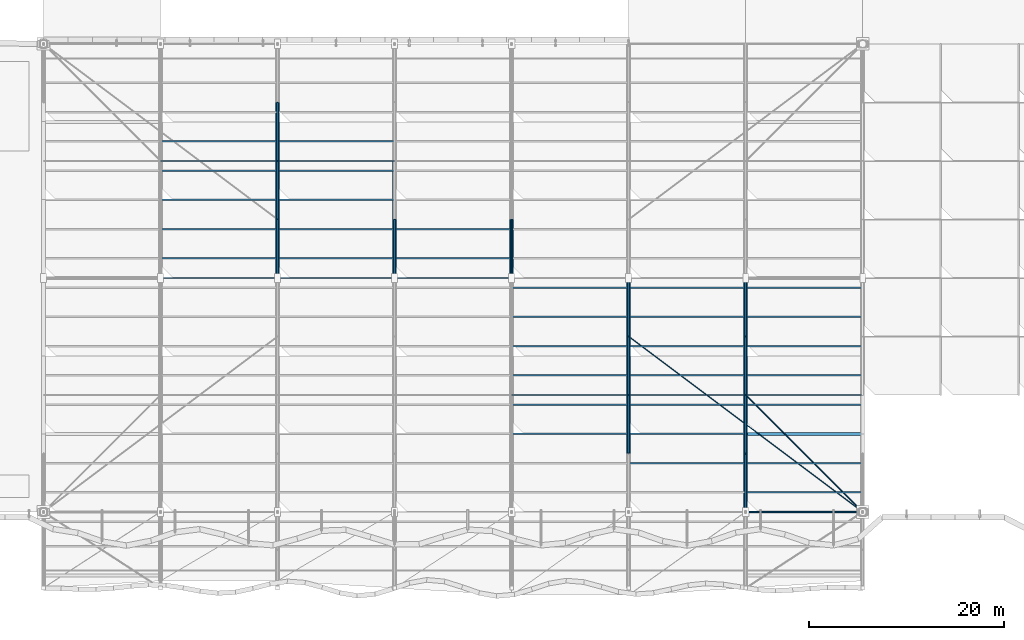
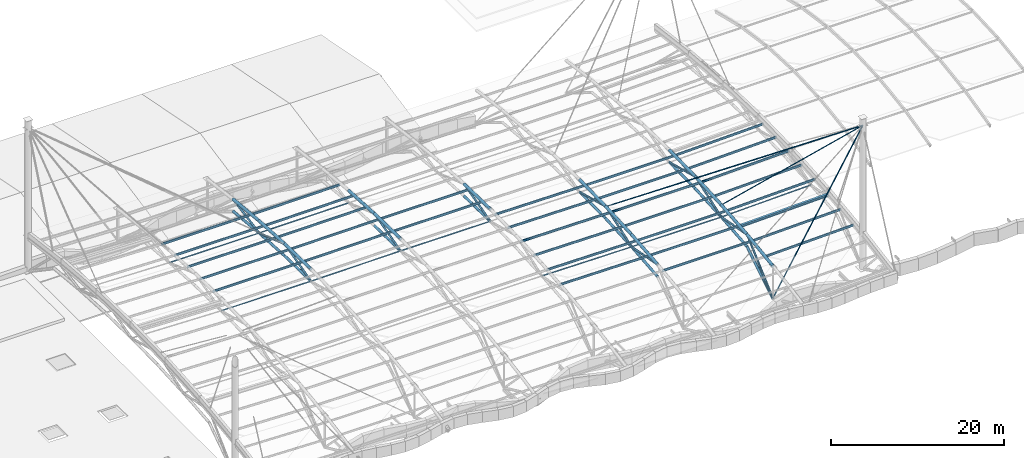
# One storey, part 12 of 29: 80 members, 1 beam.
"""IFC4 building model written with IfcOpenShell, lengths in metres."""

from ifc_helpers import new_model, si_unit, direction, frame, origin, origin_2d, place, context, subcontext, project, spatial, hollow_circle, i_section, extrude, material, material_profile, profile_set, type_object, element, save


model = new_model("IFC4")

# Units and contexts
model_context = context("Model", 3, precision=1e-05, world=origin(), true_north=direction((0.0, 1.0)))
body_context = subcontext(model_context, "Body", "Model", "MODEL_VIEW")
ifc_project = project(units=[si_unit("LENGTHUNIT", "METRE"), si_unit("AREAUNIT", "SQUARE_METRE"), si_unit("VOLUMEUNIT", "CUBIC_METRE"), si_unit("PLANEANGLEUNIT", "RADIAN"), si_unit("MASSUNIT", "GRAM", prefix="KILO")], contexts=[model_context])

# Site, building, storey
site_placement = place(None, origin())
site = spatial("IfcSite", under=ifc_project, at=site_placement, CompositionType="ELEMENT")
building_placement = place(site_placement, origin())
building = spatial("IfcBuilding", under=site, at=building_placement, Name="Keelwater Ferry Terminal", CompositionType="ELEMENT")
storey_placement = place(building_placement, frame((0.0, 0.0, 27.89990234375)))
storey = spatial("IfcBuildingStorey", under=building, at=storey_placement, Name="RF", CompositionType="ELEMENT", Elevation=27.89990234375)

# Members
ifc_material_1 = material(Name="Steel S355", Category="steel")
ifc_material_profile_1 = material_profile(ifc_material_1, hollow_circle(Radius=0.136474609375, WallThickness=0.012451171875, at=origin_2d()), Name="CHS 273x12.5")
ifc_profile_set_1 = profile_set([ifc_material_profile_1], Name="Steel S355")
member_type_1 = type_object("IfcMemberType", Name="BR2 CHS 273x12.5", PredefinedType="BRACE", material=ifc_profile_set_1)
member_1_placement = place(storey_placement, frame((72.0, 66.0, -8.2978515625), z_axis=(0.0, 0.966835622723, 0.255399449166), x_axis=(-1.0, 0.0, 0.0)))
element("IfcMember", 1, at=member_1_placement, inside=storey, type_object=member_type_1, Name="Structural Member MB-RF-0087", PredefinedType="BRACE", context=body_context, shape_type="SweptSolid", body=[
    extrude(hollow_circle(Radius=0.136474609375, WallThickness=0.012451171875, at=origin_2d()), origin(), (0.0, 0.0, 1.0), 6.205810546875),
])
member_2_placement = place(storey_placement, frame((72.0, 72.0, -6.712890625), z_axis=(0.0, 0.946429966212, -0.322909149849), x_axis=(-1.0, 0.0, 0.0)))
element("IfcMember", 2, at=member_2_placement, inside=storey, type_object=member_type_1, Name="Structural Member MB-RF-0090", PredefinedType="BRACE", context=body_context, shape_type="SweptSolid", body=[
    extrude(hollow_circle(Radius=0.136474609375, WallThickness=0.012451171875, at=origin_2d()), origin(), (0.0, 0.0, 1.0), 6.339599609375),
])
member_3_placement = place(storey_placement, frame((72.0, 78.0, -8.760009765625), z_axis=(0.0, 0.982959013804, 0.183824854632), x_axis=(-1.0, 0.0, 0.0)))
element("IfcMember", 3, at=member_3_placement, inside=storey, type_object=member_type_1, Name="Structural Member MB-RF-0093", PredefinedType="BRACE", context=body_context, shape_type="SweptSolid", body=[
    extrude(hollow_circle(Radius=0.136474609375, WallThickness=0.012451171875, at=origin_2d()), origin(), (0.0, 0.0, 1.0), 6.10400390625),
])
for number, where, z_axis, x_axis, name in (
    (4, (84.0, 66.0, -8.21484375), (0.0, 0.96687447052, 0.255252342315), (-1.0, 0.0, 0.0), "Structural Member MB-RF-0119"),
    (5, (96.0, 66.0, -8.21484375), (0.0, 0.96687447052, 0.255252342315), (-1.0, 0.0, 0.0), "Structural Member MB-RF-0151"),
):
    element("IfcMember", number, at=place(storey_placement, frame(where, z_axis=z_axis, x_axis=x_axis)), inside=storey, type_object=member_type_1, Name=name, PredefinedType="BRACE", context=body_context, shape_type="SweptSolid", body=[
        extrude(hollow_circle(Radius=0.136474609375, WallThickness=0.012451171875, at=origin_2d()), origin(), (0.0, 0.0, 1.0), 6.20556640625),
    ])
member_4_placement = place(storey_placement, frame((108.0, 48.0, -7.637939453125), z_axis=(0.0, 0.982959013804, -0.183824854632), x_axis=(-1.0, 0.0, 0.0)))
element("IfcMember", 6, at=member_4_placement, inside=storey, type_object=member_type_1, Name="Structural Member MB-RF-0173", PredefinedType="BRACE", context=body_context, shape_type="SweptSolid", body=[
    extrude(hollow_circle(Radius=0.136474609375, WallThickness=0.012451171875, at=origin_2d()), origin(), (0.0, 0.0, 1.0), 6.10400390625),
])
member_5_placement = place(storey_placement, frame((108.0, 54.0, -8.760009765625), z_axis=(0.0, 0.946429966212, 0.322909149849), x_axis=(-1.0, 0.0, 0.0)))
element("IfcMember", 7, at=member_5_placement, inside=storey, type_object=member_type_1, Name="Structural Member MB-RF-0176", PredefinedType="BRACE", context=body_context, shape_type="SweptSolid", body=[
    extrude(hollow_circle(Radius=0.136474609375, WallThickness=0.012451171875, at=origin_2d()), origin(), (0.0, 0.0, 1.0), 6.339599609375),
])
member_6_placement = place(storey_placement, frame((108.0, 60.0, -6.712890625), z_axis=(0.0, 0.966835622723, -0.255399449166), x_axis=(-1.0, 0.0, 0.0)))
element("IfcMember", 8, at=member_6_placement, inside=storey, type_object=member_type_1, Name="Structural Member MB-RF-0179", PredefinedType="BRACE", context=body_context, shape_type="SweptSolid", body=[
    extrude(hollow_circle(Radius=0.136474609375, WallThickness=0.012451171875, at=origin_2d()), origin(), (0.0, 0.0, 1.0), 6.205810546875),
])
member_7_placement = place(storey_placement, frame((120.0, 42.0, -13.0498046875), z_axis=(0.0, 0.741707352726, 0.670723641235), x_axis=(-1.0, 0.0, 0.0)))
element("IfcMember", 9, at=member_7_placement, inside=storey, type_object=member_type_1, Name="Structural Member MB-RF-0201", PredefinedType="BRACE", context=body_context, shape_type="SweptSolid", body=[
    extrude(hollow_circle(Radius=0.136474609375, WallThickness=0.012451171875, at=origin_2d()), origin(), (0.0, 0.0, 1.0), 8.08935546875),
])
member_8_placement = place(storey_placement, frame((120.0, 48.0, -7.6240234375), z_axis=(0.0, 0.982966240194, -0.183786209053), x_axis=(-1.0, 0.0, 0.0)))
element("IfcMember", 10, at=member_8_placement, inside=storey, type_object=member_type_1, Name="Structural Member MB-RF-0204", PredefinedType="BRACE", context=body_context, shape_type="SweptSolid", body=[
    extrude(hollow_circle(Radius=0.136474609375, WallThickness=0.012451171875, at=origin_2d()), origin(), (0.0, 0.0, 1.0), 6.10400390625),
])
member_9_placement = place(storey_placement, frame((120.0, 54.0, -8.745849609375), z_axis=(0.0, 0.946441734907, 0.322874654356), x_axis=(-1.0, 0.0, 0.0)))
element("IfcMember", 11, at=member_9_placement, inside=storey, type_object=member_type_1, Name="Structural Member MB-RF-0207", PredefinedType="BRACE", context=body_context, shape_type="SweptSolid", body=[
    extrude(hollow_circle(Radius=0.136474609375, WallThickness=0.012451171875, at=origin_2d()), origin(), (0.0, 0.0, 1.0), 6.339599609375),
])
member_10_placement = place(storey_placement, frame((120.0, 60.0, -6.698974609375), z_axis=(0.0, 0.966835622723, -0.255399449166), x_axis=(-1.0, 0.0, 0.0)))
element("IfcMember", 12, at=member_10_placement, inside=storey, type_object=member_type_1, Name="Structural Member MB-RF-0210", PredefinedType="BRACE", context=body_context, shape_type="SweptSolid", body=[
    extrude(hollow_circle(Radius=0.136474609375, WallThickness=0.012451171875, at=origin_2d()), origin(), (0.0, 0.0, 1.0), 6.205810546875),
])

# Beam
ifc_material_2 = material(Name="Steel S355", Category="steel")
ifc_material_profile_2 = material_profile(ifc_material_2, i_section(OverallWidth=0.300048828125, OverallDepth=0.360107421875, WebThickness=0.012451171875, FlangeThickness=0.0224609375, at=origin_2d()), Name="HEB 360")
ifc_profile_set_2 = profile_set([ifc_material_profile_2], Name="Steel S355")
beam_type = type_object("IfcBeamType", Name="G8 HEB 360", PredefinedType="BEAM", material=ifc_profile_set_2)
beam_placement = place(storey_placement, frame((120.0, 50.0, -7.685791015625), z_axis=(0.999612913888, 0.0, 0.027821257857), x_axis=(0.0, 1.0, 0.0)))
element("IfcBeam", 13, at=beam_placement, inside=storey, type_object=beam_type, Name="Beam BM-RF-1660", PredefinedType="BEAM", context=body_context, shape_type="SweptSolid", body=[
    extrude(i_section(OverallWidth=0.300048828125, OverallDepth=0.360107421875, WebThickness=0.012451171875, FlangeThickness=0.0224609375, at=origin_2d()), origin(), (0.0, 0.0, 1.0), 12.004638671875),
])

# Members
ifc_material_3 = material(Name="Steel S355", Category="steel")
ifc_material_profile_3 = material_profile(ifc_material_3, i_section(OverallWidth=0.14990234375, OverallDepth=0.300048828125, WebThickness=0.007080078125, FlangeThickness=0.0107421875, at=origin_2d()), Name="IPE 300")
ifc_profile_set_3 = profile_set([ifc_material_profile_3], Name="Steel S355")
member_type_2 = type_object("IfcMemberType", Name="PR1 IPE 300", PredefinedType="PURLIN", material=ifc_profile_set_3)
for number, where, z_axis, x_axis, name in (
    (14, (60.0, 68.0, -6.765869140625), (0.999999327586, 0.0, -0.001159667189), (0.0, 1.0, 0.0), "Structural Member MB-RF-0283"),
    (15, (60.0, 71.0, -6.833984375), (0.999999327586, 0.0, -0.001159667189), (0.0, 1.0, 0.0), "Structural Member MB-RF-0284"),
    (16, (60.0, 74.0, -6.958984375), (0.999999327586, 0.0, -0.001159667189), (0.0, 1.0, 0.0), "Structural Member MB-RF-0285"),
    (17, (60.0, 77.0, -7.141845703125), (0.999999303785, 0.0, -0.001180012199), (0.0, 1.0, 0.0), "Structural Member MB-RF-0286"),
    (18, (60.0, 80.0, -7.3828125), (0.999999303785, 0.0, -0.001180012199), (0.0, 1.0, 0.0), "Structural Member MB-RF-0287"),
):
    element("IfcMember", number, at=place(storey_placement, frame(where, z_axis=z_axis, x_axis=x_axis)), inside=storey, type_object=member_type_2, Name=name, PredefinedType="PURLIN", context=body_context, shape_type="SweptSolid", body=[
        extrude(i_section(OverallWidth=0.14990234375, OverallDepth=0.300048828125, WebThickness=0.007080078125, FlangeThickness=0.0107421875, at=origin_2d()), origin(), (0.0, 0.0, 1.0), 12.0),
    ])
for number, where, z_axis, x_axis, name in (
    (19, (72.0, 68.0, -6.77978515625), (0.999976774659, 0.0, 0.006815434153), (0.0, 1.0, 0.0), "Structural Member MB-RF-0302"),
    (20, (72.0, 71.0, -6.847900390625), (0.999976635798, 0.0, 0.006835777784), (0.0, 1.0, 0.0), "Structural Member MB-RF-0303"),
    (21, (72.0, 74.0, -6.972900390625), (0.999976635798, 0.0, 0.006835777784), (0.0, 1.0, 0.0), "Structural Member MB-RF-0304"),
    (22, (72.0, 77.0, -7.156005859375), (0.999976635798, 0.0, 0.006835777784), (0.0, 1.0, 0.0), "Structural Member MB-RF-0305"),
    (23, (72.0, 80.0, -7.39697265625), (0.999976635798, 0.0, 0.006835777784), (0.0, 1.0, 0.0), "Structural Member MB-RF-0306"),
):
    element("IfcMember", number, at=place(storey_placement, frame(where, z_axis=z_axis, x_axis=x_axis)), inside=storey, type_object=member_type_2, Name=name, PredefinedType="PURLIN", context=body_context, shape_type="SweptSolid", body=[
        extrude(i_section(OverallWidth=0.14990234375, OverallDepth=0.300048828125, WebThickness=0.007080078125, FlangeThickness=0.0107421875, at=origin_2d()), origin(), (0.0, 0.0, 1.0), 12.000244140625),
    ])
for number, where, z_axis, x_axis, name in (
    (24, (84.0, 68.0, -6.697998046875), (1.0, 0.0, 0.0), (0.0, 1.0, 0.0), "Structural Member MB-RF-0321"),
    (25, (84.0, 71.0, -6.765869140625), (1.0, 0.0, 0.0), (0.0, 1.0, 0.0), "Structural Member MB-RF-0322"),
):
    element("IfcMember", number, at=place(storey_placement, frame(where, z_axis=z_axis, x_axis=x_axis)), inside=storey, type_object=member_type_2, Name=name, PredefinedType="PURLIN", context=body_context, shape_type="SweptSolid", body=[
        extrude(i_section(OverallWidth=0.14990234375, OverallDepth=0.300048828125, WebThickness=0.007080078125, FlangeThickness=0.0107421875, at=origin_2d()), origin(), (0.0, 0.0, 1.0), 12.0),
    ])
for number, where, z_axis, x_axis, name in (
    (26, (96.0, 50.0, -7.5068359375), (0.999976076216, 0.0, -0.00691715222), (0.0, 1.0, 0.0), "Structural Member MB-RF-0334"),
    (27, (96.0, 53.0, -7.227783203125), (0.999976635798, 0.0, -0.006835777784), (0.0, 1.0, 0.0), "Structural Member MB-RF-0335"),
    (28, (96.0, 56.0, -7.005859375), (0.999976076216, 0.0, -0.00691715222), (0.0, 1.0, 0.0), "Structural Member MB-RF-0336"),
    (29, (96.0, 59.0, -6.843017578125), (0.999976774659, 0.0, -0.006815434153), (0.0, 1.0, 0.0), "Structural Member MB-RF-0337"),
    (30, (96.0, 62.0, -6.73681640625), (0.999976635798, 0.0, -0.006835777784), (0.0, 1.0, 0.0), "Structural Member MB-RF-0338"),
    (31, (96.0, 65.0, -6.68798828125), (0.999976076216, 0.0, -0.00691715222), (0.0, 1.0, 0.0), "Structural Member MB-RF-0339"),
):
    element("IfcMember", number, at=place(storey_placement, frame(where, z_axis=z_axis, x_axis=x_axis)), inside=storey, type_object=member_type_2, Name=name, PredefinedType="PURLIN", context=body_context, shape_type="SweptSolid", body=[
        extrude(i_section(OverallWidth=0.14990234375, OverallDepth=0.300048828125, WebThickness=0.007080078125, FlangeThickness=0.0107421875, at=origin_2d()), origin(), (0.0, 0.0, 1.0), 12.000244140625),
    ])
for number, where, z_axis, x_axis, name in (
    (32, (108.0, 47.0, -7.927001953125), (0.999999303785, 0.0, 0.001180012199), (0.0, 1.0, 0.0), "Structural Member MB-RF-0352"),
    (33, (108.0, 50.0, -7.58984375), (0.999999327586, 0.0, 0.001159667189), (0.0, 1.0, 0.0), "Structural Member MB-RF-0353"),
    (34, (108.0, 53.0, -7.309814453125), (0.999999327586, 0.0, 0.001159667189), (0.0, 1.0, 0.0), "Structural Member MB-RF-0354"),
    (35, (108.0, 56.0, -7.0888671875), (0.999999327586, 0.0, 0.001159667189), (0.0, 1.0, 0.0), "Structural Member MB-RF-0355"),
    (36, (108.0, 59.0, -6.9248046875), (0.999999327586, 0.0, 0.001159667189), (0.0, 1.0, 0.0), "Structural Member MB-RF-0356"),
    (37, (108.0, 62.0, -6.81884765625), (0.999999327586, 0.0, 0.001159667189), (0.0, 1.0, 0.0), "Structural Member MB-RF-0357"),
    (38, (108.0, 65.0, -6.77099609375), (0.999999303785, 0.0, 0.001180012199), (0.0, 1.0, 0.0), "Structural Member MB-RF-0358"),
):
    element("IfcMember", number, at=place(storey_placement, frame(where, z_axis=z_axis, x_axis=x_axis)), inside=storey, type_object=member_type_2, Name=name, PredefinedType="PURLIN", context=body_context, shape_type="SweptSolid", body=[
        extrude(i_section(OverallWidth=0.14990234375, OverallDepth=0.300048828125, WebThickness=0.007080078125, FlangeThickness=0.0107421875, at=origin_2d()), origin(), (0.0, 0.0, 1.0), 12.0),
    ])
for number, where, z_axis, x_axis, name in (
    (39, (120.0, 44.0, -8.307861328125), (0.999615172935, 0.0, 0.02773997184), (0.0, 1.0, 0.0), "Structural Member MB-RF-0370"),
    (40, (120.0, 47.0, -7.912841796875), (0.999612913888, 0.0, 0.027821257857), (0.0, 1.0, 0.0), "Structural Member MB-RF-0371"),
    (41, (120.0, 53.0, -7.2958984375), (0.999615172935, 0.0, 0.02773997184), (0.0, 1.0, 0.0), "Structural Member MB-RF-0372"),
    (42, (120.0, 56.0, -7.074951171875), (0.999612913888, 0.0, 0.027821257857), (0.0, 1.0, 0.0), "Structural Member MB-RF-0373"),
    (43, (120.0, 59.0, -6.910888671875), (0.999612913888, 0.0, 0.027821257857), (0.0, 1.0, 0.0), "Structural Member MB-RF-0374"),
    (44, (120.0, 62.0, -6.804931640625), (0.999612913888, 0.0, 0.027821257857), (0.0, 1.0, 0.0), "Structural Member MB-RF-0375"),
    (45, (120.0, 65.0, -6.7568359375), (0.999612913888, 0.0, 0.027821257857), (0.0, 1.0, 0.0), "Structural Member MB-RF-0376"),
):
    element("IfcMember", number, at=place(storey_placement, frame(where, z_axis=z_axis, x_axis=x_axis)), inside=storey, type_object=member_type_2, Name=name, PredefinedType="PURLIN", context=body_context, shape_type="SweptSolid", body=[
        extrude(i_section(OverallWidth=0.14990234375, OverallDepth=0.300048828125, WebThickness=0.007080078125, FlangeThickness=0.0107421875, at=origin_2d()), origin(), (0.0, 0.0, 1.0), 12.004638671875),
    ])
ifc_material_4 = material(Name="Steel S460", Category="steel")
ifc_material_profile_4 = material_profile(ifc_material_4, hollow_circle(Radius=0.084228515625, WallThickness=0.012451171875, at=origin_2d()), Name="CHS 168.3x12.5")
ifc_profile_set_4 = profile_set([ifc_material_profile_4], Name="Steel S460")
member_type_3 = type_object("IfcMemberType", Name="SC1E CHS 168.3x12.5", PredefinedType="USERDEFINED", material=ifc_profile_set_4)
member_11_placement = place(storey_placement, frame((132.0, 42.0, 7.300048828125), z_axis=(-0.510736326415, 0.0, -0.859737404607), x_axis=(0.0, -1.0, 0.0)))
element("IfcMember", 46, at=member_11_placement, inside=storey, type_object=member_type_3, Name="Structural Member MB-RF-0403", ObjectType="CABLE", PredefinedType="USERDEFINED", context=body_context, shape_type="SweptSolid", body=[
    extrude(hollow_circle(Radius=0.084228515625, WallThickness=0.012451171875, at=origin_2d()), origin(), (0.0, 0.0, 1.0), 23.49560546875),
])
ifc_material_5 = material(Name="Steel S460", Category="steel")
ifc_material_profile_5 = material_profile(ifc_material_5, hollow_circle(Radius=0.06982421875, WallThickness=0.010009765625, at=origin_2d()), Name="CHS 139.7x10")
ifc_profile_set_5 = profile_set([ifc_material_profile_5], Name="Steel S460")
member_type_4 = type_object("IfcMemberType", Name="SC2E CHS 139.7x10", PredefinedType="USERDEFINED", material=ifc_profile_set_5)
member_12_placement = place(storey_placement, frame((132.0, 42.0, 7.300048828125), z_axis=(-0.540011458903, 0.540011458903, -0.645581326021), x_axis=(-0.707106781187, -0.707106781187, 0.0)))
element("IfcMember", 47, at=member_12_placement, inside=storey, type_object=member_type_4, Name="Structural Member MB-RF-0405", ObjectType="CABLE", PredefinedType="USERDEFINED", context=body_context, shape_type="SweptSolid", body=[
    extrude(hollow_circle(Radius=0.06982421875, WallThickness=0.010009765625, at=origin_2d()), origin(), (0.0, 0.0, 1.0), 22.2216796875),
])
ifc_material_6 = material(Name="Steel S460", Category="steel")
ifc_material_profile_6 = material_profile(ifc_material_6, hollow_circle(Radius=0.05712890625, WallThickness=0.010009765625, at=origin_2d()), Name="CHS 114.3x10")
ifc_profile_set_6 = profile_set([ifc_material_profile_6], Name="Steel S460")
member_type_5 = type_object("IfcMemberType", Name="SC3 CHS 114.3x10", PredefinedType="USERDEFINED", material=ifc_profile_set_6)
for number, where, z_axis, x_axis, name in (
    (48, (60.0, 66.0, -8.283935546875), (0.999999327586, 0.0, -0.001159667189), (0.0, 1.0, 0.0), "Structural Member MB-RF-0417"),
    (49, (60.0, 78.0, -8.745849609375), (0.999999303785, 0.0, -0.001180012199), (0.0, 1.0, 0.0), "Structural Member MB-RF-0418"),
):
    element("IfcMember", number, at=place(storey_placement, frame(where, z_axis=z_axis, x_axis=x_axis)), inside=storey, type_object=member_type_5, Name=name, ObjectType="CABLE", PredefinedType="USERDEFINED", context=body_context, shape_type="SweptSolid", body=[
        extrude(hollow_circle(Radius=0.05712890625, WallThickness=0.010009765625, at=origin_2d()), origin(), (0.0, 0.0, 1.0), 12.0),
    ])
for number, where, z_axis, x_axis, name in (
    (50, (72.0, 66.0, -8.2978515625), (0.999976076216, 0.0, 0.00691715222), (0.0, 1.0, 0.0), "Structural Member MB-RF-0420"),
    (51, (72.0, 78.0, -8.760009765625), (0.999976635798, 0.0, 0.006835777784), (0.0, 1.0, 0.0), "Structural Member MB-RF-0421"),
):
    element("IfcMember", number, at=place(storey_placement, frame(where, z_axis=z_axis, x_axis=x_axis)), inside=storey, type_object=member_type_5, Name=name, ObjectType="CABLE", PredefinedType="USERDEFINED", context=body_context, shape_type="SweptSolid", body=[
        extrude(hollow_circle(Radius=0.05712890625, WallThickness=0.010009765625, at=origin_2d()), origin(), (0.0, 0.0, 1.0), 12.000244140625),
    ])
member_13_placement = place(storey_placement, frame((84.0, 66.0, -8.21484375), z_axis=(1.0, 0.0, 0.0), x_axis=(0.0, 1.0, 0.0)))
element("IfcMember", 52, at=member_13_placement, inside=storey, type_object=member_type_5, Name="Structural Member MB-RF-0423", ObjectType="CABLE", PredefinedType="USERDEFINED", context=body_context, shape_type="SweptSolid", body=[
    extrude(hollow_circle(Radius=0.05712890625, WallThickness=0.010009765625, at=origin_2d()), origin(), (0.0, 0.0, 1.0), 12.0),
])
member_14_placement = place(storey_placement, frame((96.0, 54.0, -8.677978515625), z_axis=(0.999976635798, 0.0, -0.006835777784), x_axis=(0.0, 1.0, 0.0)))
element("IfcMember", 53, at=member_14_placement, inside=storey, type_object=member_type_5, Name="Structural Member MB-RF-0425", ObjectType="CABLE", PredefinedType="USERDEFINED", context=body_context, shape_type="SweptSolid", body=[
    extrude(hollow_circle(Radius=0.05712890625, WallThickness=0.010009765625, at=origin_2d()), origin(), (0.0, 0.0, 1.0), 12.000244140625),
])
member_15_placement = place(storey_placement, frame((108.0, 54.0, -8.760009765625), z_axis=(0.999999303785, 0.0, 0.001180012199), x_axis=(0.0, 1.0, 0.0)))
element("IfcMember", 54, at=member_15_placement, inside=storey, type_object=member_type_5, Name="Structural Member MB-RF-0428", ObjectType="CABLE", PredefinedType="USERDEFINED", context=body_context, shape_type="SweptSolid", body=[
    extrude(hollow_circle(Radius=0.05712890625, WallThickness=0.010009765625, at=origin_2d()), origin(), (0.0, 0.0, 1.0), 12.0),
])
member_16_placement = place(storey_placement, frame((120.0, 54.0, -8.745849609375), z_axis=(0.999612913888, 0.0, 0.027821257857), x_axis=(0.0, 1.0, 0.0)))
element("IfcMember", 55, at=member_16_placement, inside=storey, type_object=member_type_5, Name="Structural Member MB-RF-0431", ObjectType="CABLE", PredefinedType="USERDEFINED", context=body_context, shape_type="SweptSolid", body=[
    extrude(hollow_circle(Radius=0.05712890625, WallThickness=0.010009765625, at=origin_2d()), origin(), (0.0, 0.0, 1.0), 12.004638671875),
])
ifc_material_7 = material(Name="Steel S460", Category="steel")
ifc_material_profile_7 = material_profile(ifc_material_7, hollow_circle(Radius=0.05712890625, WallThickness=0.010009765625, at=origin_2d()), Name="CHS 114.3x10")
ifc_profile_set_7 = profile_set([ifc_material_profile_7], Name="Steel S460")
member_type_6 = type_object("IfcMemberType", Name="SC3E CHS 114.3x10", PredefinedType="USERDEFINED", material=ifc_profile_set_7)
member_17_placement = place(storey_placement, frame((132.0, 42.0, 7.300048828125), z_axis=(-0.724826663576, 0.543619997682, -0.423206339613), x_axis=(-0.6, -0.8, 0.0)))
element("IfcMember", 56, at=member_17_placement, inside=storey, type_object=member_type_6, Name="Structural Member MB-RF-0406", ObjectType="CABLE", PredefinedType="USERDEFINED", context=body_context, shape_type="SweptSolid", body=[
    extrude(hollow_circle(Radius=0.05712890625, WallThickness=0.010009765625, at=origin_2d()), origin(), (0.0, 0.0, 1.0), 33.111328125),
])
ifc_material_8 = material(Name="Steel S355", Category="steel")
ifc_material_profile_8 = material_profile(ifc_material_8, hollow_circle(Radius=0.203125, WallThickness=0.01611328125, at=origin_2d()), Name="CHS 406.4x16")
ifc_profile_set_8 = profile_set([ifc_material_profile_8], Name="Steel S355")
member_type_7 = type_object("IfcMemberType", Name="TC1 CHS 406.4x16", PredefinedType="CHORD", material=ifc_profile_set_8)
member_18_placement = place(storey_placement, frame((72.0, 66.0, -6.597900390625), z_axis=(0.0, 0.999816401214, -0.019161520385), x_axis=(-1.0, 0.0, 0.0)))
element("IfcMember", 57, at=member_18_placement, inside=storey, type_object=member_type_7, Name="Structural Member MB-RF-0085", PredefinedType="CHORD", context=body_context, shape_type="SweptSolid", body=[
    extrude(hollow_circle(Radius=0.203125, WallThickness=0.01611328125, at=origin_2d()), origin(), (0.0, 0.0, 1.0), 6.001220703125),
])
member_19_placement = place(storey_placement, frame((72.0, 72.0, -6.712890625), z_axis=(0.0, 0.998332566702, -0.057724225964), x_axis=(-1.0, 0.0, 0.0)))
element("IfcMember", 58, at=member_19_placement, inside=storey, type_object=member_type_7, Name="Structural Member MB-RF-0088", PredefinedType="CHORD", context=body_context, shape_type="SweptSolid", body=[
    extrude(hollow_circle(Radius=0.203125, WallThickness=0.01611328125, at=origin_2d()), origin(), (0.0, 0.0, 1.0), 6.010009765625),
])
member_20_placement = place(storey_placement, frame((72.0, 78.0, -7.059814453125), z_axis=(0.0, 0.995390012341, -0.095909975147), x_axis=(-1.0, 0.0, 0.0)))
element("IfcMember", 59, at=member_20_placement, inside=storey, type_object=member_type_7, Name="Structural Member MB-RF-0091", PredefinedType="CHORD", context=body_context, shape_type="SweptSolid", body=[
    extrude(hollow_circle(Radius=0.203125, WallThickness=0.01611328125, at=origin_2d()), origin(), (0.0, 0.0, 1.0), 6.02783203125),
])
member_21_placement = place(storey_placement, frame((84.0, 66.0, -6.514892578125), z_axis=(0.0, 0.999813270399, -0.019324190407), x_axis=(-1.0, 0.0, 0.0)))
element("IfcMember", 60, at=member_21_placement, inside=storey, type_object=member_type_7, Name="Structural Member MB-RF-0117", PredefinedType="CHORD", context=body_context, shape_type="SweptSolid", body=[
    extrude(hollow_circle(Radius=0.203125, WallThickness=0.01611328125, at=origin_2d()), origin(), (0.0, 0.0, 1.0), 6.001220703125),
])
member_22_placement = place(storey_placement, frame((84.0, 72.0, -6.630859375), z_axis=(0.0, 0.998332566702, -0.057724225964), x_axis=(-1.0, 0.0, 0.0)))
element("IfcMember", 61, at=member_22_placement, inside=storey, type_object=member_type_7, Name="Structural Member MB-RF-0120", PredefinedType="CHORD", context=body_context, shape_type="SweptSolid", body=[
    extrude(hollow_circle(Radius=0.203125, WallThickness=0.01611328125, at=origin_2d()), origin(), (0.0, 0.0, 1.0), 6.010009765625),
])
member_23_placement = place(storey_placement, frame((96.0, 66.0, -6.514892578125), z_axis=(0.0, 0.999813270399, -0.019324190407), x_axis=(-1.0, 0.0, 0.0)))
element("IfcMember", 62, at=member_23_placement, inside=storey, type_object=member_type_7, Name="Structural Member MB-RF-0149", PredefinedType="CHORD", context=body_context, shape_type="SweptSolid", body=[
    extrude(hollow_circle(Radius=0.203125, WallThickness=0.01611328125, at=origin_2d()), origin(), (0.0, 0.0, 1.0), 6.001220703125),
])
member_24_placement = place(storey_placement, frame((108.0, 48.0, -7.637939453125), z_axis=(0.0, 0.995390012341, 0.095909975147), x_axis=(-1.0, 0.0, 0.0)))
element("IfcMember", 63, at=member_24_placement, inside=storey, type_object=member_type_7, Name="Structural Member MB-RF-0171", PredefinedType="CHORD", context=body_context, shape_type="SweptSolid", body=[
    extrude(hollow_circle(Radius=0.203125, WallThickness=0.01611328125, at=origin_2d()), origin(), (0.0, 0.0, 1.0), 6.02783203125),
])
member_25_placement = place(storey_placement, frame((108.0, 54.0, -7.059814453125), z_axis=(0.0, 0.998332566702, 0.057724225964), x_axis=(-1.0, 0.0, 0.0)))
element("IfcMember", 64, at=member_25_placement, inside=storey, type_object=member_type_7, Name="Structural Member MB-RF-0174", PredefinedType="CHORD", context=body_context, shape_type="SweptSolid", body=[
    extrude(hollow_circle(Radius=0.203125, WallThickness=0.01611328125, at=origin_2d()), origin(), (0.0, 0.0, 1.0), 6.010009765625),
])
member_26_placement = place(storey_placement, frame((108.0, 60.0, -6.712890625), z_axis=(0.0, 0.999816401214, 0.019161520385), x_axis=(-1.0, 0.0, 0.0)))
element("IfcMember", 65, at=member_26_placement, inside=storey, type_object=member_type_7, Name="Structural Member MB-RF-0177", PredefinedType="CHORD", context=body_context, shape_type="SweptSolid", body=[
    extrude(hollow_circle(Radius=0.203125, WallThickness=0.01611328125, at=origin_2d()), origin(), (0.0, 0.0, 1.0), 6.001220703125),
])
member_27_placement = place(storey_placement, frame((120.0, 42.0, -8.433837890625), z_axis=(0.0, 0.991014257244, 0.133756278128), x_axis=(-1.0, 0.0, 0.0)))
element("IfcMember", 66, at=member_27_placement, inside=storey, type_object=member_type_7, Name="Structural Member MB-RF-0199", PredefinedType="CHORD", context=body_context, shape_type="SweptSolid", body=[
    extrude(hollow_circle(Radius=0.203125, WallThickness=0.01611328125, at=origin_2d()), origin(), (0.0, 0.0, 1.0), 6.054443359375),
])
member_28_placement = place(storey_placement, frame((120.0, 48.0, -7.6240234375), z_axis=(0.0, 0.995390012341, 0.095909975147), x_axis=(-1.0, 0.0, 0.0)))
element("IfcMember", 67, at=member_28_placement, inside=storey, type_object=member_type_7, Name="Structural Member MB-RF-0202", PredefinedType="CHORD", context=body_context, shape_type="SweptSolid", body=[
    extrude(hollow_circle(Radius=0.203125, WallThickness=0.01611328125, at=origin_2d()), origin(), (0.0, 0.0, 1.0), 6.02783203125),
])
member_29_placement = place(storey_placement, frame((120.0, 54.0, -7.0458984375), z_axis=(0.0, 0.998332566702, 0.057724225964), x_axis=(-1.0, 0.0, 0.0)))
element("IfcMember", 68, at=member_29_placement, inside=storey, type_object=member_type_7, Name="Structural Member MB-RF-0205", PredefinedType="CHORD", context=body_context, shape_type="SweptSolid", body=[
    extrude(hollow_circle(Radius=0.203125, WallThickness=0.01611328125, at=origin_2d()), origin(), (0.0, 0.0, 1.0), 6.010009765625),
])
member_30_placement = place(storey_placement, frame((120.0, 60.0, -6.698974609375), z_axis=(0.0, 0.999816401214, 0.019161520385), x_axis=(-1.0, 0.0, 0.0)))
element("IfcMember", 69, at=member_30_placement, inside=storey, type_object=member_type_7, Name="Structural Member MB-RF-0208", PredefinedType="CHORD", context=body_context, shape_type="SweptSolid", body=[
    extrude(hollow_circle(Radius=0.203125, WallThickness=0.01611328125, at=origin_2d()), origin(), (0.0, 0.0, 1.0), 6.001220703125),
])
ifc_material_9 = material(Name="Steel S355", Category="steel")
ifc_material_profile_9 = material_profile(ifc_material_9, hollow_circle(Radius=0.177734375, WallThickness=0.01611328125, at=origin_2d()), Name="CHS 355.6x16")
ifc_profile_set_9 = profile_set([ifc_material_profile_9], Name="Steel S355")
member_type_8 = type_object("IfcMemberType", Name="TC2 CHS 355.6x16", PredefinedType="CHORD", material=ifc_profile_set_9)
member_31_placement = place(storey_placement, frame((72.0, 66.0, -8.2978515625), z_axis=(0.0, 0.999816401214, -0.019161520385), x_axis=(-1.0, 0.0, 0.0)))
element("IfcMember", 70, at=member_31_placement, inside=storey, type_object=member_type_8, Name="Structural Member MB-RF-0086", PredefinedType="CHORD", context=body_context, shape_type="SweptSolid", body=[
    extrude(hollow_circle(Radius=0.177734375, WallThickness=0.01611328125, at=origin_2d()), origin(), (0.0, 0.0, 1.0), 6.001220703125),
])
member_32_placement = place(storey_placement, frame((72.0, 72.0, -8.412841796875), z_axis=(0.0, 0.998330224908, -0.05776471272), x_axis=(-1.0, 0.0, 0.0)))
element("IfcMember", 71, at=member_32_placement, inside=storey, type_object=member_type_8, Name="Structural Member MB-RF-0089", PredefinedType="CHORD", context=body_context, shape_type="SweptSolid", body=[
    extrude(hollow_circle(Radius=0.177734375, WallThickness=0.01611328125, at=origin_2d()), origin(), (0.0, 0.0, 1.0), 6.010009765625),
])
member_33_placement = place(storey_placement, frame((72.0, 78.0, -8.760009765625), z_axis=(0.0, 0.995393878235, -0.095869844962), x_axis=(-1.0, 0.0, 0.0)))
element("IfcMember", 72, at=member_33_placement, inside=storey, type_object=member_type_8, Name="Structural Member MB-RF-0092", PredefinedType="CHORD", context=body_context, shape_type="SweptSolid", body=[
    extrude(hollow_circle(Radius=0.177734375, WallThickness=0.01611328125, at=origin_2d()), origin(), (0.0, 0.0, 1.0), 6.02783203125),
])
for number, where, z_axis, x_axis, name in (
    (73, (84.0, 66.0, -8.21484375), (0.0, 0.999813270399, -0.019324190407), (-1.0, 0.0, 0.0), "Structural Member MB-RF-0118"),
    (74, (96.0, 66.0, -8.21484375), (0.0, 0.999813270399, -0.019324190407), (-1.0, 0.0, 0.0), "Structural Member MB-RF-0150"),
):
    element("IfcMember", number, at=place(storey_placement, frame(where, z_axis=z_axis, x_axis=x_axis)), inside=storey, type_object=member_type_8, Name=name, PredefinedType="CHORD", context=body_context, shape_type="SweptSolid", body=[
        extrude(hollow_circle(Radius=0.177734375, WallThickness=0.01611328125, at=origin_2d()), origin(), (0.0, 0.0, 1.0), 6.001220703125),
    ])
member_34_placement = place(storey_placement, frame((108.0, 48.0, -9.337890625), z_axis=(0.0, 0.995393878235, 0.095869844962), x_axis=(-1.0, 0.0, 0.0)))
element("IfcMember", 75, at=member_34_placement, inside=storey, type_object=member_type_8, Name="Structural Member MB-RF-0172", PredefinedType="CHORD", context=body_context, shape_type="SweptSolid", body=[
    extrude(hollow_circle(Radius=0.177734375, WallThickness=0.01611328125, at=origin_2d()), origin(), (0.0, 0.0, 1.0), 6.02783203125),
])
member_35_placement = place(storey_placement, frame((108.0, 54.0, -8.760009765625), z_axis=(0.0, 0.998330224908, 0.05776471272), x_axis=(-1.0, 0.0, 0.0)))
element("IfcMember", 76, at=member_35_placement, inside=storey, type_object=member_type_8, Name="Structural Member MB-RF-0175", PredefinedType="CHORD", context=body_context, shape_type="SweptSolid", body=[
    extrude(hollow_circle(Radius=0.177734375, WallThickness=0.01611328125, at=origin_2d()), origin(), (0.0, 0.0, 1.0), 6.010009765625),
])
member_36_placement = place(storey_placement, frame((108.0, 60.0, -8.412841796875), z_axis=(0.0, 0.999816401214, 0.019161520385), x_axis=(-1.0, 0.0, 0.0)))
element("IfcMember", 77, at=member_36_placement, inside=storey, type_object=member_type_8, Name="Structural Member MB-RF-0178", PredefinedType="CHORD", context=body_context, shape_type="SweptSolid", body=[
    extrude(hollow_circle(Radius=0.177734375, WallThickness=0.01611328125, at=origin_2d()), origin(), (0.0, 0.0, 1.0), 6.001220703125),
])
member_37_placement = place(storey_placement, frame((120.0, 42.0, -13.0498046875), z_axis=(0.0, 0.849532796236, 0.527535807428), x_axis=(-1.0, 0.0, 0.0)))
element("IfcMember", 78, at=member_37_placement, inside=storey, type_object=member_type_8, Name="Structural Member MB-RF-0200", PredefinedType="CHORD", context=body_context, shape_type="SweptSolid", body=[
    extrude(hollow_circle(Radius=0.177734375, WallThickness=0.01611328125, at=origin_2d()), origin(), (0.0, 0.0, 1.0), 7.062744140625),
])
member_38_placement = place(storey_placement, frame((120.0, 48.0, -9.323974609375), z_axis=(0.0, 0.995390012341, 0.095909975147), x_axis=(-1.0, 0.0, 0.0)))
element("IfcMember", 79, at=member_38_placement, inside=storey, type_object=member_type_8, Name="Structural Member MB-RF-0203", PredefinedType="CHORD", context=body_context, shape_type="SweptSolid", body=[
    extrude(hollow_circle(Radius=0.177734375, WallThickness=0.01611328125, at=origin_2d()), origin(), (0.0, 0.0, 1.0), 6.02783203125),
])
member_39_placement = place(storey_placement, frame((120.0, 54.0, -8.745849609375), z_axis=(0.0, 0.998332566702, 0.057724225964), x_axis=(-1.0, 0.0, 0.0)))
element("IfcMember", 80, at=member_39_placement, inside=storey, type_object=member_type_8, Name="Structural Member MB-RF-0206", PredefinedType="CHORD", context=body_context, shape_type="SweptSolid", body=[
    extrude(hollow_circle(Radius=0.177734375, WallThickness=0.01611328125, at=origin_2d()), origin(), (0.0, 0.0, 1.0), 6.010009765625),
])
member_40_placement = place(storey_placement, frame((120.0, 60.0, -8.39892578125), z_axis=(0.0, 0.999816401214, 0.019161520385), x_axis=(-1.0, 0.0, 0.0)))
element("IfcMember", 81, at=member_40_placement, inside=storey, type_object=member_type_8, Name="Structural Member MB-RF-0209", PredefinedType="CHORD", context=body_context, shape_type="SweptSolid", body=[
    extrude(hollow_circle(Radius=0.177734375, WallThickness=0.01611328125, at=origin_2d()), origin(), (0.0, 0.0, 1.0), 6.001220703125),
])

save(model, "model.ifc")
